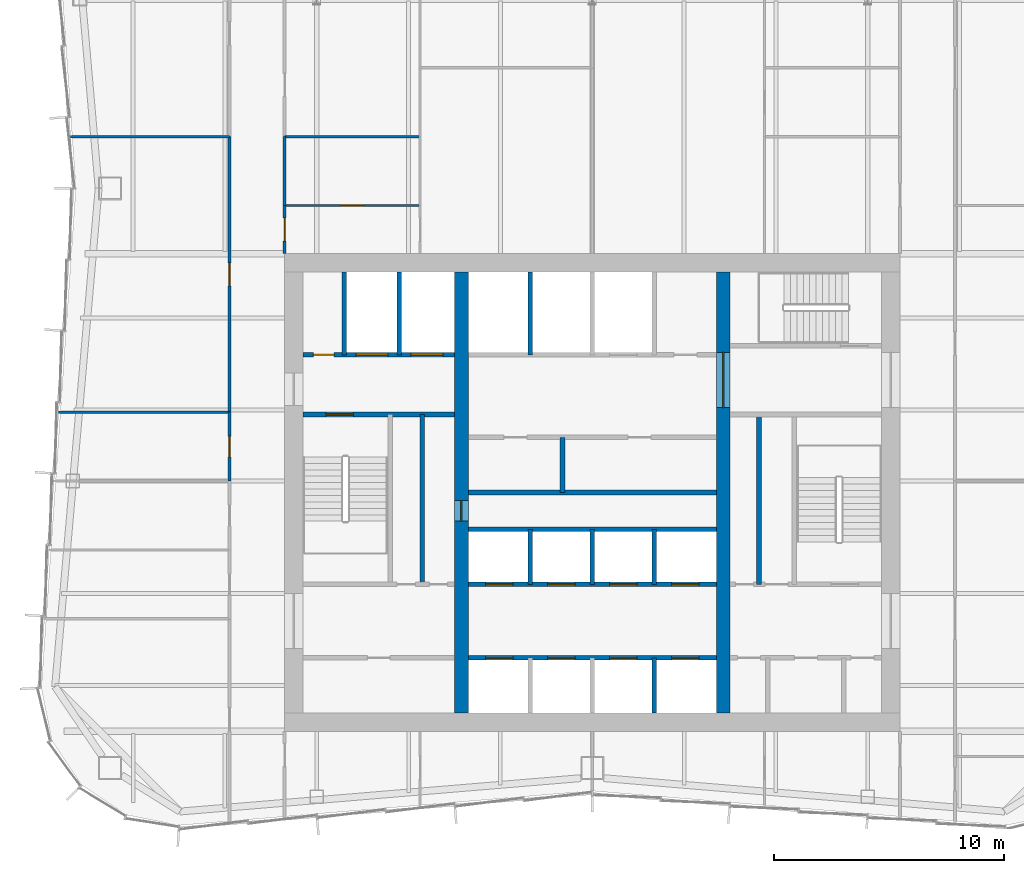
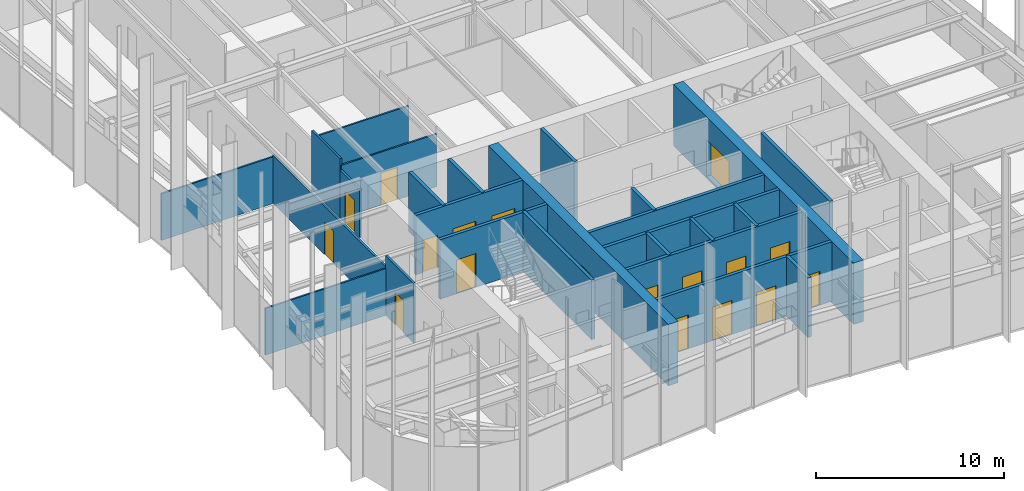
# One storey, part 11 of 15: 26 walls, 18 doors, 18 openings.
"""IFC4 building model written with IfcOpenShell, lengths in metres."""

from ifc_helpers import new_model, si_unit, direction, frame, frame_2d, origin, place, context, subcontext, project, spatial, rectangle, extrude, material, layer, layer_set, type_object, element, fill, save


model = new_model("IFC4")

# Units and contexts
model_context = context("Model", 3, precision=1e-05, world=origin(), true_north=direction((0.0, 1.0)))
body_context = subcontext(model_context, "Body", "Model", "MODEL_VIEW")
ifc_project = project(units=[si_unit("LENGTHUNIT", "METRE"), si_unit("AREAUNIT", "SQUARE_METRE"), si_unit("VOLUMEUNIT", "CUBIC_METRE"), si_unit("PLANEANGLEUNIT", "RADIAN"), si_unit("MASSUNIT", "GRAM", prefix="KILO")], contexts=[model_context])

# Site, building, storey
site_placement = place(None, origin())
site = spatial("IfcSite", under=ifc_project, at=site_placement, CompositionType="ELEMENT")
building_placement = place(site_placement, origin())
building = spatial("IfcBuilding", under=site, at=building_placement, Name="Verdant Reach Tower", CompositionType="ELEMENT")
storey_placement = place(building_placement, frame((0.0, 0.0, 250.0)))
storey = spatial("IfcBuildingStorey", under=building, at=storey_placement, Name="L57", CompositionType="ELEMENT", Elevation=250.0)

# Walls
ifc_material_1 = material(Name="Gypsum board on steel studs", Category="steel")
ifc_layer_1 = layer(ifc_material_1, 0.199951171875)
ifc_layer_set_1 = layer_set([ifc_layer_1], Name="CO-WALL-ROOM")
wall_type_1 = type_object("IfcWallType", Name="CO-WALL-ROOM", PredefinedType="PARTITIONING", material=ifc_layer_set_1)
wall_1_placement = place(storey_placement, frame((-5.39990234375, 28.0, 0.0), z_axis=(0.0, 0.0, 1.0), x_axis=(1.0, 0.0, 0.0)))
element("IfcWall", 1, at=wall_1_placement, inside=storey, type_object=wall_type_1, Name="Core partition, L57", PredefinedType="PARTITIONING", context=body_context, shape_type="SweptSolid", body=[
    extrude(rectangle(XDim=10.7998046875, YDim=0.199951171875, at=frame_2d((5.39990234375, 0.0))), origin(), (0.0, 0.0, 1.0), 3.8701171875),
])
wall_2_placement = place(storey_placement, frame((-7.39990234375, 24.0, 0.0), z_axis=(0.0, 0.0, 1.0), x_axis=(0.0, 1.0, 0.0)))
element("IfcWall", 2, at=wall_2_placement, inside=storey, type_object=wall_type_1, Name="Core partition, L57", PredefinedType="PARTITIONING", context=body_context, shape_type="SweptSolid", body=[
    extrude(rectangle(XDim=7.39990234375, YDim=0.199951171875, at=frame_2d((3.699951171875, 0.0))), origin(), (0.0, 0.0, 1.0), 3.8701171875),
])
wall_3_placement = place(storey_placement, frame((-1.2958984375, 28.0, 0.0), z_axis=(0.0, 0.0, 1.0), x_axis=(0.0, 1.0, 0.0)))
element("IfcWall", 3, at=wall_3_placement, inside=storey, type_object=wall_type_1, Name="Core partition, L57", PredefinedType="PARTITIONING", context=body_context, shape_type="SweptSolid", body=[
    extrude(rectangle(XDim=2.39990234375, YDim=0.199951171875, at=frame_2d((1.199951171875, 0.0))), origin(), (0.0, 0.0, 1.0), 3.8701171875),
])
wall_4_placement = place(storey_placement, frame((7.260009765625, 24.0, 0.0), z_axis=(0.0, 0.0, 1.0), x_axis=(0.0, 1.0, 0.0)))
element("IfcWall", 4, at=wall_4_placement, inside=storey, type_object=wall_type_1, Name="Core partition, L57", PredefinedType="PARTITIONING", context=body_context, shape_type="SweptSolid", body=[
    extrude(rectangle(XDim=7.39990234375, YDim=0.199951171875, at=frame_2d((3.699951171875, 0.0))), origin(), (0.0, 0.0, 1.0), 3.8701171875),
])

# Wall, openings, doors
ifc_material_2 = material(Name="Concrete C40/50", Category="concrete")
ifc_layer_2 = layer(ifc_material_2, 0.199951171875)
ifc_layer_set_2 = layer_set([ifc_layer_2], Name="CO-WALL-SHAFT")
wall_type_2 = type_object("IfcWallType", Name="CO-WALL-SHAFT", PredefinedType="PARTITIONING", material=ifc_layer_set_2)
wall_5_placement = place(storey_placement, frame((-5.39990234375, 20.800048828125, 0.0), z_axis=(0.0, 0.0, 1.0), x_axis=(1.0, 0.0, 0.0)))
wall_5 = element("IfcWall", 5, at=wall_5_placement, inside=storey, type_object=wall_type_2, Name="Lift shaft wall, L57", PredefinedType="PARTITIONING", context=body_context, shape_type="SweptSolid", body=[
    extrude(rectangle(XDim=10.7998046875, YDim=0.199951171875, at=frame_2d((5.39990234375, 0.0))), origin(), (0.0, 0.0, 1.0), 3.8701171875),
])
opening_1_placement = place(wall_5_placement, frame((0.75, 0.0, 0.0)))
opening_1 = element("IfcOpeningElement", 6, at=opening_1_placement, cuts=wall_5, Name="Opening LD-B1", PredefinedType="OPENING", context=body_context, shape_type="SweptSolid", body=[
    extrude(rectangle(XDim=1.199951171875, YDim=2.199951171875, at=frame_2d((0.60009765625, 1.10009765625))), frame((0.0, 0.10986328125, 0.0), z_axis=(0.0, -1.0, 0.0), x_axis=(1.0, 0.0, 0.0)), (0.0, 0.0, 1.0), 0.219970703125),
])
opening_2_placement = place(wall_5_placement, frame((3.449951171875, 0.0, 0.0)))
opening_2 = element("IfcOpeningElement", 7, at=opening_2_placement, cuts=wall_5, Name="Opening LD-B2", PredefinedType="OPENING", context=body_context, shape_type="SweptSolid", body=[
    extrude(rectangle(XDim=1.199951171875, YDim=2.199951171875, at=frame_2d((0.60009765625, 1.10009765625))), frame((0.0, 0.10986328125, 0.0), z_axis=(0.0, -1.0, 0.0), x_axis=(1.0, 0.0, 0.0)), (0.0, 0.0, 1.0), 0.219970703125),
])
opening_3_placement = place(wall_5_placement, frame((6.14990234375, 0.0, 0.0)))
opening_3 = element("IfcOpeningElement", 8, at=opening_3_placement, cuts=wall_5, Name="Opening LD-B3", PredefinedType="OPENING", context=body_context, shape_type="SweptSolid", body=[
    extrude(rectangle(XDim=1.199951171875, YDim=2.199951171875, at=frame_2d((0.60009765625, 1.10009765625))), frame((0.0, 0.10986328125, 0.0), z_axis=(0.0, -1.0, 0.0), x_axis=(1.0, 0.0, 0.0)), (0.0, 0.0, 1.0), 0.219970703125),
])
opening_4_placement = place(wall_5_placement, frame((8.85009765625, 0.0, 0.0)))
opening_4 = element("IfcOpeningElement", 9, at=opening_4_placement, cuts=wall_5, Name="Opening LD-B4", PredefinedType="OPENING", context=body_context, shape_type="SweptSolid", body=[
    extrude(rectangle(XDim=1.199951171875, YDim=2.199951171875, at=frame_2d((0.60009765625, 1.10009765625))), frame((0.0, 0.10986328125, 0.0), z_axis=(0.0, -1.0, 0.0), x_axis=(1.0, 0.0, 0.0)), (0.0, 0.0, 1.0), 0.219970703125),
])
ifc_material_3 = material(Name="Stainless steel", Category="steel")
door_type_1 = type_object("IfcDoorType", Name="CO-DOOR-LANDING", OperationType="SLIDING_TO_LEFT", PredefinedType="DOOR", material=ifc_material_3)
door_1_placement = place(opening_1_placement, origin())
door_1 = element("IfcDoor", 10, at=door_1_placement, inside=storey, type_object=door_type_1, Name="Landing door B1, L57", OperationType="SLIDING_TO_LEFT", OverallHeight=2.199951171875, OverallWidth=1.199951171875, PredefinedType="DOOR", context=body_context, shape_type="SweptSolid", body=[
    extrude(rectangle(XDim=1.199951171875, YDim=2.199951171875, at=frame_2d((0.60009765625, 1.10009765625))), frame((0.0, 0.02490234375, 0.0), z_axis=(0.0, -1.0, 0.0), x_axis=(1.0, 0.0, 0.0)), (0.0, 0.0, 1.0), 0.050048828125),
])
fill(opening_1, door_1)
door_2_placement = place(opening_2_placement, origin())
door_2 = element("IfcDoor", 11, at=door_2_placement, inside=storey, type_object=door_type_1, Name="Landing door B2, L57", OperationType="SLIDING_TO_LEFT", OverallHeight=2.199951171875, OverallWidth=1.199951171875, PredefinedType="DOOR", context=body_context, shape_type="SweptSolid", body=[
    extrude(rectangle(XDim=1.199951171875, YDim=2.199951171875, at=frame_2d((0.60009765625, 1.10009765625))), frame((0.0, 0.02490234375, 0.0), z_axis=(0.0, -1.0, 0.0), x_axis=(1.0, 0.0, 0.0)), (0.0, 0.0, 1.0), 0.050048828125),
])
fill(opening_2, door_2)
door_3_placement = place(opening_3_placement, origin())
door_3 = element("IfcDoor", 12, at=door_3_placement, inside=storey, type_object=door_type_1, Name="Landing door B3, L57", OperationType="SLIDING_TO_LEFT", OverallHeight=2.199951171875, OverallWidth=1.199951171875, PredefinedType="DOOR", context=body_context, shape_type="SweptSolid", body=[
    extrude(rectangle(XDim=1.199951171875, YDim=2.199951171875, at=frame_2d((0.60009765625, 1.10009765625))), frame((0.0, 0.02490234375, 0.0), z_axis=(0.0, -1.0, 0.0), x_axis=(1.0, 0.0, 0.0)), (0.0, 0.0, 1.0), 0.050048828125),
])
fill(opening_3, door_3)
door_4_placement = place(opening_4_placement, origin())
door_4 = element("IfcDoor", 13, at=door_4_placement, inside=storey, type_object=door_type_1, Name="Landing door B4, L57", OperationType="SLIDING_TO_LEFT", OverallHeight=2.199951171875, OverallWidth=1.199951171875, PredefinedType="DOOR", context=body_context, shape_type="SweptSolid", body=[
    extrude(rectangle(XDim=1.199951171875, YDim=2.199951171875, at=frame_2d((0.60009765625, 1.10009765625))), frame((0.0, 0.02490234375, 0.0), z_axis=(0.0, -1.0, 0.0), x_axis=(1.0, 0.0, 0.0)), (0.0, 0.0, 1.0), 0.050048828125),
])
fill(opening_4, door_4)

wall_6_placement = place(storey_placement, frame((-5.39990234375, 24.0, 0.0), z_axis=(0.0, 0.0, 1.0), x_axis=(1.0, 0.0, 0.0)))
wall_6 = element("IfcWall", 14, at=wall_6_placement, inside=storey, type_object=wall_type_2, Name="Lift shaft wall, L57", PredefinedType="PARTITIONING", context=body_context, shape_type="SweptSolid", body=[
    extrude(rectangle(XDim=10.7998046875, YDim=0.199951171875, at=frame_2d((5.39990234375, 0.0))), origin(), (0.0, 0.0, 1.0), 3.8701171875),
])
opening_5_placement = place(wall_6_placement, frame((0.75, 0.0, 0.0)))
opening_5 = element("IfcOpeningElement", 15, at=opening_5_placement, cuts=wall_6, Name="Opening LD-A5", PredefinedType="OPENING", context=body_context, shape_type="SweptSolid", body=[
    extrude(rectangle(XDim=1.199951171875, YDim=2.199951171875, at=frame_2d((0.60009765625, 1.10009765625))), frame((0.0, 0.10986328125, 0.0), z_axis=(0.0, -1.0, 0.0), x_axis=(1.0, 0.0, 0.0)), (0.0, 0.0, 1.0), 0.219970703125),
])
opening_6_placement = place(wall_6_placement, frame((3.449951171875, 0.0, 0.0)))
opening_6 = element("IfcOpeningElement", 16, at=opening_6_placement, cuts=wall_6, Name="Opening LD-A6", PredefinedType="OPENING", context=body_context, shape_type="SweptSolid", body=[
    extrude(rectangle(XDim=1.199951171875, YDim=2.199951171875, at=frame_2d((0.60009765625, 1.10009765625))), frame((0.0, 0.10986328125, 0.0), z_axis=(0.0, -1.0, 0.0), x_axis=(1.0, 0.0, 0.0)), (0.0, 0.0, 1.0), 0.219970703125),
])
opening_7_placement = place(wall_6_placement, frame((6.14990234375, 0.0, 0.0)))
opening_7 = element("IfcOpeningElement", 17, at=opening_7_placement, cuts=wall_6, Name="Opening LD-A7", PredefinedType="OPENING", context=body_context, shape_type="SweptSolid", body=[
    extrude(rectangle(XDim=1.199951171875, YDim=2.199951171875, at=frame_2d((0.60009765625, 1.10009765625))), frame((0.0, 0.10986328125, 0.0), z_axis=(0.0, -1.0, 0.0), x_axis=(1.0, 0.0, 0.0)), (0.0, 0.0, 1.0), 0.219970703125),
])
opening_8_placement = place(wall_6_placement, frame((8.85009765625, 0.0, 0.0)))
opening_8 = element("IfcOpeningElement", 18, at=opening_8_placement, cuts=wall_6, Name="Opening LD-A8", PredefinedType="OPENING", context=body_context, shape_type="SweptSolid", body=[
    extrude(rectangle(XDim=1.199951171875, YDim=2.199951171875, at=frame_2d((0.60009765625, 1.10009765625))), frame((0.0, 0.10986328125, 0.0), z_axis=(0.0, -1.0, 0.0), x_axis=(1.0, 0.0, 0.0)), (0.0, 0.0, 1.0), 0.219970703125),
])
door_5_placement = place(opening_5_placement, origin())
door_5 = element("IfcDoor", 19, at=door_5_placement, inside=storey, type_object=door_type_1, Name="Landing door A5, L57", OperationType="SLIDING_TO_LEFT", OverallHeight=2.199951171875, OverallWidth=1.199951171875, PredefinedType="DOOR", context=body_context, shape_type="SweptSolid", body=[
    extrude(rectangle(XDim=1.199951171875, YDim=2.199951171875, at=frame_2d((0.60009765625, 1.10009765625))), frame((0.0, 0.02490234375, 0.0), z_axis=(0.0, -1.0, 0.0), x_axis=(1.0, 0.0, 0.0)), (0.0, 0.0, 1.0), 0.050048828125),
])
fill(opening_5, door_5)
door_6_placement = place(opening_6_placement, origin())
door_6 = element("IfcDoor", 20, at=door_6_placement, inside=storey, type_object=door_type_1, Name="Landing door A6, L57", OperationType="SLIDING_TO_LEFT", OverallHeight=2.199951171875, OverallWidth=1.199951171875, PredefinedType="DOOR", context=body_context, shape_type="SweptSolid", body=[
    extrude(rectangle(XDim=1.199951171875, YDim=2.199951171875, at=frame_2d((0.60009765625, 1.10009765625))), frame((0.0, 0.02490234375, 0.0), z_axis=(0.0, -1.0, 0.0), x_axis=(1.0, 0.0, 0.0)), (0.0, 0.0, 1.0), 0.050048828125),
])
fill(opening_6, door_6)
door_7_placement = place(opening_7_placement, origin())
door_7 = element("IfcDoor", 21, at=door_7_placement, inside=storey, type_object=door_type_1, Name="Landing door A7, L57", OperationType="SLIDING_TO_LEFT", OverallHeight=2.199951171875, OverallWidth=1.199951171875, PredefinedType="DOOR", context=body_context, shape_type="SweptSolid", body=[
    extrude(rectangle(XDim=1.199951171875, YDim=2.199951171875, at=frame_2d((0.60009765625, 1.10009765625))), frame((0.0, 0.02490234375, 0.0), z_axis=(0.0, -1.0, 0.0), x_axis=(1.0, 0.0, 0.0)), (0.0, 0.0, 1.0), 0.050048828125),
])
fill(opening_7, door_7)
door_8_placement = place(opening_8_placement, origin())
door_8 = element("IfcDoor", 22, at=door_8_placement, inside=storey, type_object=door_type_1, Name="Landing door A8, L57", OperationType="SLIDING_TO_LEFT", OverallHeight=2.199951171875, OverallWidth=1.199951171875, PredefinedType="DOOR", context=body_context, shape_type="SweptSolid", body=[
    extrude(rectangle(XDim=1.199951171875, YDim=2.199951171875, at=frame_2d((0.60009765625, 1.10009765625))), frame((0.0, 0.02490234375, 0.0), z_axis=(0.0, -1.0, 0.0), x_axis=(1.0, 0.0, 0.0)), (0.0, 0.0, 1.0), 0.050048828125),
])
fill(opening_8, door_8)

# Wall
wall_7_placement = place(storey_placement, frame((-5.39990234375, 26.39990234375, 0.0), z_axis=(0.0, 0.0, 1.0), x_axis=(1.0, 0.0, 0.0)))
element("IfcWall", 23, at=wall_7_placement, inside=storey, type_object=wall_type_2, Name="Lift shaft wall, L57", PredefinedType="PARTITIONING", context=body_context, shape_type="SweptSolid", body=[
    extrude(rectangle(XDim=10.7998046875, YDim=0.199951171875, at=frame_2d((5.39990234375, 0.0))), origin(), (0.0, 0.0, 1.0), 3.8701171875),
])

# Wall, openings, doors
wall_8_placement = place(storey_placement, frame((-12.60009765625, 34.0, 0.0), z_axis=(0.0, 0.0, 1.0), x_axis=(1.0, 0.0, 0.0)))
wall_8 = element("IfcWall", 24, at=wall_8_placement, inside=storey, type_object=wall_type_2, Name="Lift shaft wall, L57", PredefinedType="PARTITIONING", context=body_context, shape_type="SweptSolid", body=[
    extrude(rectangle(XDim=6.60009765625, YDim=0.199951171875, at=frame_2d((3.300048828125, 0.0))), origin(), (0.0, 0.0, 1.0), 3.8701171875),
])
opening_9_placement = place(wall_8_placement, frame((4.699951171875, 0.0, 0.0)))
opening_9 = element("IfcOpeningElement", 25, at=opening_9_placement, cuts=wall_8, Name="Opening LD-F1", PredefinedType="OPENING", context=body_context, shape_type="SweptSolid", body=[
    extrude(rectangle(XDim=1.39990234375, YDim=2.199951171875, at=frame_2d((0.699951171875, 1.10009765625))), frame((0.0, 0.10986328125, 0.0), z_axis=(0.0, -1.0, 0.0), x_axis=(1.0, 0.0, 0.0)), (0.0, 0.0, 1.0), 0.219970703125),
])
opening_10_placement = place(wall_8_placement, frame((2.300048828125, 0.0, 0.0)))
opening_10 = element("IfcOpeningElement", 26, at=opening_10_placement, cuts=wall_8, Name="Opening LD-F2", PredefinedType="OPENING", context=body_context, shape_type="SweptSolid", body=[
    extrude(rectangle(XDim=1.39990234375, YDim=2.199951171875, at=frame_2d((0.699951171875, 1.10009765625))), frame((0.0, 0.10986328125, 0.0), z_axis=(0.0, -1.0, 0.0), x_axis=(1.0, 0.0, 0.0)), (0.0, 0.0, 1.0), 0.219970703125),
])
opening_11_placement = place(wall_8_placement, frame((0.449951171875, 0.0, 0.0)))
opening_11 = element("IfcOpeningElement", 27, at=opening_11_placement, cuts=wall_8, Name="Opening RD", PredefinedType="OPENING", context=body_context, shape_type="SweptSolid", body=[
    extrude(rectangle(XDim=0.89990234375, YDim=2.10009765625, at=frame_2d((0.449951171875, 1.050048828125))), frame((0.0, 0.10986328125, 0.0), z_axis=(0.0, -1.0, 0.0), x_axis=(1.0, 0.0, 0.0)), (0.0, 0.0, 1.0), 0.219970703125),
])
door_type_2 = type_object("IfcDoorType", Name="CO-DOOR-LANDING-FF", OperationType="SLIDING_TO_LEFT", PredefinedType="DOOR", material=ifc_material_3)
door_9_placement = place(opening_9_placement, origin())
door_9 = element("IfcDoor", 28, at=door_9_placement, inside=storey, type_object=door_type_2, Name="Landing door F1, L57", OperationType="SLIDING_TO_LEFT", OverallHeight=2.199951171875, OverallWidth=1.39990234375, PredefinedType="DOOR", context=body_context, shape_type="SweptSolid", body=[
    extrude(rectangle(XDim=1.39990234375, YDim=2.199951171875, at=frame_2d((0.699951171875, 1.10009765625))), frame((0.0, 0.02490234375, 0.0), z_axis=(0.0, -1.0, 0.0), x_axis=(1.0, 0.0, 0.0)), (0.0, 0.0, 1.0), 0.050048828125),
])
fill(opening_9, door_9)
door_10_placement = place(opening_10_placement, origin())
door_10 = element("IfcDoor", 29, at=door_10_placement, inside=storey, type_object=door_type_2, Name="Landing door F2, L57", OperationType="SLIDING_TO_LEFT", OverallHeight=2.199951171875, OverallWidth=1.39990234375, PredefinedType="DOOR", context=body_context, shape_type="SweptSolid", body=[
    extrude(rectangle(XDim=1.39990234375, YDim=2.199951171875, at=frame_2d((0.699951171875, 1.10009765625))), frame((0.0, 0.02490234375, 0.0), z_axis=(0.0, -1.0, 0.0), x_axis=(1.0, 0.0, 0.0)), (0.0, 0.0, 1.0), 0.050048828125),
])
fill(opening_10, door_10)
ifc_material_4 = material(Name="Steel", Category="steel")
door_type_3 = type_object("IfcDoorType", Name="CO-DOOR-RISER", OperationType="NOTDEFINED", PredefinedType="DOOR", material=ifc_material_4)
door_11_placement = place(opening_11_placement, origin())
door_11 = element("IfcDoor", 30, at=door_11_placement, inside=storey, type_object=door_type_3, Name="Core room door, L57", OperationType="SINGLE_SWING_RIGHT", OverallHeight=2.10009765625, OverallWidth=0.89990234375, PredefinedType="DOOR", context=body_context, shape_type="SweptSolid", body=[
    extrude(rectangle(XDim=0.89990234375, YDim=2.10009765625, at=frame_2d((0.449951171875, 1.050048828125))), frame((0.0, 0.02490234375, 0.0), z_axis=(0.0, -1.0, 0.0), x_axis=(1.0, 0.0, 0.0)), (0.0, 0.0, 1.0), 0.050048828125),
])
fill(opening_11, door_11)

# Walls
for number, where, z_axis, x_axis, name in (
    (31, (-10.800048828125, 34.0, 0.0), (0.0, 0.0, 1.0), (0.0, 1.0, 0.0), "Lift shaft wall, L57"),
    (32, (-8.39990234375, 34.0, 0.0), (0.0, 0.0, 1.0), (0.0, 1.0, 0.0), "Lift shaft wall, L57"),
):
    element("IfcWall", number, at=place(storey_placement, frame(where, z_axis=z_axis, x_axis=x_axis)), inside=storey, type_object=wall_type_2, Name=name, PredefinedType="PARTITIONING", context=body_context, shape_type="SweptSolid", body=[
        extrude(rectangle(XDim=3.60009765625, YDim=0.199951171875, at=frame_2d((1.800048828125, 0.0))), origin(), (0.0, 0.0, 1.0), 3.8701171875),
    ])
wall_9_placement = place(storey_placement, frame((-2.699951171875, 24.0, 0.0), z_axis=(0.0, 0.0, 1.0), x_axis=(0.0, 1.0, 0.0)))
element("IfcWall", 33, at=wall_9_placement, inside=storey, type_object=wall_type_2, Name="Lift shaft wall, L57", PredefinedType="PARTITIONING", context=body_context, shape_type="SweptSolid", body=[
    extrude(rectangle(XDim=2.39990234375, YDim=0.199951171875, at=frame_2d((1.199951171875, 0.0))), origin(), (0.0, 0.0, 1.0), 3.8701171875),
])
wall_10_placement = place(storey_placement, frame((-2.699951171875, 34.0, 0.0), z_axis=(0.0, 0.0, 1.0), x_axis=(0.0, 1.0, 0.0)))
element("IfcWall", 34, at=wall_10_placement, inside=storey, type_object=wall_type_2, Name="Lift shaft wall, L57", PredefinedType="PARTITIONING", context=body_context, shape_type="SweptSolid", body=[
    extrude(rectangle(XDim=3.60009765625, YDim=0.199951171875, at=frame_2d((1.800048828125, 0.0))), origin(), (0.0, 0.0, 1.0), 3.8701171875),
])
wall_11_placement = place(storey_placement, frame((0.0, 24.0, 0.0), z_axis=(0.0, 0.0, 1.0), x_axis=(0.0, 1.0, 0.0)))
element("IfcWall", 35, at=wall_11_placement, inside=storey, type_object=wall_type_2, Name="Lift shaft wall, L57", PredefinedType="PARTITIONING", context=body_context, shape_type="SweptSolid", body=[
    extrude(rectangle(XDim=2.39990234375, YDim=0.199951171875, at=frame_2d((1.199951171875, 0.0))), origin(), (0.0, 0.0, 1.0), 3.8701171875),
])
wall_12_placement = place(storey_placement, frame((2.699951171875, 18.39990234375, 0.0), z_axis=(0.0, 0.0, 1.0), x_axis=(0.0, 1.0, 0.0)))
element("IfcWall", 36, at=wall_12_placement, inside=storey, type_object=wall_type_2, Name="Lift shaft wall, L57", PredefinedType="PARTITIONING", context=body_context, shape_type="SweptSolid", body=[
    extrude(rectangle(XDim=2.400146484375, YDim=0.199951171875, at=frame_2d((1.2001953125, 0.0))), origin(), (0.0, 0.0, 1.0), 3.8701171875),
])
wall_13_placement = place(storey_placement, frame((2.699951171875, 24.0, 0.0), z_axis=(0.0, 0.0, 1.0), x_axis=(0.0, 1.0, 0.0)))
element("IfcWall", 37, at=wall_13_placement, inside=storey, type_object=wall_type_2, Name="Lift shaft wall, L57", PredefinedType="PARTITIONING", context=body_context, shape_type="SweptSolid", body=[
    extrude(rectangle(XDim=2.39990234375, YDim=0.199951171875, at=frame_2d((1.199951171875, 0.0))), origin(), (0.0, 0.0, 1.0), 3.8701171875),
])

# Wall, opening, door
ifc_layer_3 = layer(ifc_material_2, 0.199951171875)
ifc_layer_set_3 = layer_set([ifc_layer_3], Name="CO-WALL-STAIR")
wall_type_3 = type_object("IfcWallType", Name="CO-WALL-STAIR", PredefinedType="PARTITIONING", material=ifc_layer_set_3)
wall_14_placement = place(storey_placement, frame((-12.60009765625, 31.39990234375, 0.0), z_axis=(0.0, 0.0, 1.0), x_axis=(1.0, 0.0, 0.0)))
wall_14 = element("IfcWall", 38, at=wall_14_placement, inside=storey, type_object=wall_type_3, Name="Stair enclosure wall, L57", PredefinedType="PARTITIONING", context=body_context, shape_type="SweptSolid", body=[
    extrude(rectangle(XDim=6.60009765625, YDim=0.199951171875, at=frame_2d((3.300048828125, 0.0))), origin(), (0.0, 0.0, 1.0), 3.8701171875),
])
opening_12_placement = place(wall_14_placement, frame((1.0, 0.0, 0.0)))
opening_12 = element("IfcOpeningElement", 39, at=opening_12_placement, cuts=wall_14, Name="Opening SD", PredefinedType="OPENING", context=body_context, shape_type="SweptSolid", body=[
    extrude(rectangle(XDim=1.199951171875, YDim=2.199951171875, at=frame_2d((0.60009765625, 1.10009765625))), frame((0.0, 0.10986328125, 0.0), z_axis=(0.0, -1.0, 0.0), x_axis=(1.0, 0.0, 0.0)), (0.0, 0.0, 1.0), 0.219970703125),
])
door_type_4 = type_object("IfcDoorType", Name="CO-DOOR-STAIR", OperationType="NOTDEFINED", PredefinedType="DOOR", material=ifc_material_4)
door_12_placement = place(opening_12_placement, origin())
door_12 = element("IfcDoor", 40, at=door_12_placement, inside=storey, type_object=door_type_4, Name="Stair door, L57", OperationType="SINGLE_SWING_RIGHT", OverallHeight=2.199951171875, OverallWidth=1.199951171875, PredefinedType="DOOR", context=body_context, shape_type="SweptSolid", body=[
    extrude(rectangle(XDim=1.199951171875, YDim=2.199951171875, at=frame_2d((0.60009765625, 1.10009765625))), frame((0.0, 0.02490234375, 0.0), z_axis=(0.0, -1.0, 0.0), x_axis=(1.0, 0.0, 0.0)), (0.0, 0.0, 1.0), 0.050048828125),
])
fill(opening_12, door_12)

# Walls
ifc_layer_4 = layer(ifc_material_1, 0.10009765625)
ifc_layer_set_4 = layer_set([ifc_layer_4], Name="FL-W1 Partition 100")
wall_type_4 = type_object("IfcWallType", Name="FL-W1 Partition 100", PredefinedType="PARTITIONING", material=ifc_layer_set_4)
wall_15_placement = place(storey_placement, frame((-15.800048828125, 31.5, 0.0), z_axis=(0.0, 0.0, 1.0), x_axis=(-1.0, 0.0, 0.0)))
element("IfcWall", 41, at=wall_15_placement, inside=storey, type_object=wall_type_4, Name="Partition 57.37", PredefinedType="PARTITIONING", context=body_context, shape_type="SweptSolid", body=[
    extrude(rectangle(XDim=7.452392578125, YDim=0.10009765625, at=frame_2d((3.72607421875, 0.0))), origin(), (0.0, 0.0, 1.0), 3.0400390625),
])
wall_16_placement = place(storey_placement, frame((-15.800048828125, 43.5, 0.0), z_axis=(0.0, 0.0, 1.0), x_axis=(-1.0, 0.0, 0.0)))
element("IfcWall", 42, at=wall_16_placement, inside=storey, type_object=wall_type_4, Name="Partition 57.38", PredefinedType="PARTITIONING", context=body_context, shape_type="SweptSolid", body=[
    extrude(rectangle(XDim=6.93505859375, YDim=0.10009765625, at=frame_2d((3.467529296875, 0.0))), origin(), (0.0, 0.0, 1.0), 3.0400390625),
])

# Wall, opening, door
wall_17_placement = place(storey_placement, frame((-13.39990234375, 40.5, 0.0), z_axis=(0.0, 0.0, 1.0), x_axis=(1.0, 0.0, 0.0)))
wall_17 = element("IfcWall", 43, at=wall_17_placement, inside=storey, type_object=wall_type_4, Name="Partition 57.48", PredefinedType="PARTITIONING", context=body_context, shape_type="SweptSolid", body=[
    extrude(rectangle(XDim=5.89990234375, YDim=0.10009765625, at=frame_2d((2.949951171875, 0.0))), origin(), (0.0, 0.0, 1.0), 3.43994140625),
])
opening_13_placement = place(wall_17_placement, frame((2.449951171875, 0.0, 0.0)))
opening_13 = element("IfcOpeningElement", 44, at=opening_13_placement, cuts=wall_17, Name="Opening D3", PredefinedType="OPENING", context=body_context, shape_type="SweptSolid", body=[
    extrude(rectangle(XDim=1.0, YDim=2.10009765625, at=frame_2d((0.5, 1.050048828125))), frame((0.0, 0.06005859375, 0.0), z_axis=(0.0, -1.0, 0.0), x_axis=(1.0, 0.0, 0.0)), (0.0, 0.0, 1.0), 0.1201171875),
])
ifc_material_5 = material(Name="Painted timber door leaf", Category="wood")
door_type_5 = type_object("IfcDoorType", Name="FL-D3 Door 1000x2100", OperationType="NOTDEFINED", PredefinedType="DOOR", material=ifc_material_5)
door_13_placement = place(opening_13_placement, origin())
door_13 = element("IfcDoor", 45, at=door_13_placement, inside=storey, type_object=door_type_5, Name="Door 57-029", OperationType="SINGLE_SWING_LEFT", OverallHeight=2.10009765625, OverallWidth=1.0, PredefinedType="DOOR", context=body_context, shape_type="SweptSolid", body=[
    extrude(rectangle(XDim=1.0, YDim=2.10009765625, at=frame_2d((0.5, 1.050048828125))), frame((0.0, 0.02490234375, 0.0), z_axis=(0.0, -1.0, 0.0), x_axis=(1.0, 0.0, 0.0)), (0.0, 0.0, 1.0), 0.050048828125),
])
fill(opening_13, door_13)

# Wall
wall_18_placement = place(storey_placement, frame((-7.5, 43.5, 0.0), z_axis=(0.0, 0.0, 1.0), x_axis=(-1.0, 0.0, 0.0)))
element("IfcWall", 46, at=wall_18_placement, inside=storey, type_object=wall_type_4, Name="Partition 57.50", PredefinedType="PARTITIONING", context=body_context, shape_type="SweptSolid", body=[
    extrude(rectangle(XDim=5.89990234375, YDim=0.10009765625, at=frame_2d((2.949951171875, 0.0))), origin(), (0.0, 0.0, 1.0), 3.43994140625),
])

# Wall, opening, door
ifc_material_6 = material(Name="Gypsum board on steel studs, fire rated", Category="steel")
ifc_layer_5 = layer(ifc_material_6, 0.125)
ifc_layer_set_5 = layer_set([ifc_layer_5], Name="FL-W2 Corridor wall 125")
wall_type_5 = type_object("IfcWallType", Name="FL-W2 Corridor wall 125", PredefinedType="PARTITIONING", material=ifc_layer_set_5)
wall_19_placement = place(storey_placement, frame((-15.800048828125, 28.5, 0.0), z_axis=(0.0, 0.0, 1.0), x_axis=(0.0, 1.0, 0.0)))
wall_19 = element("IfcWall", 47, at=wall_19_placement, inside=storey, type_object=wall_type_5, Name="Partition 57.04", PredefinedType="PARTITIONING", context=body_context, shape_type="SweptSolid", body=[
    extrude(rectangle(XDim=3.0, YDim=0.125, at=frame_2d((1.5, 0.0))), origin(), (0.0, 0.0, 1.0), 3.8701171875),
])
opening_14_placement = place(wall_19_placement, frame((1.050048828125, 0.0, 0.0)))
opening_14 = element("IfcOpeningElement", 48, at=opening_14_placement, cuts=wall_19, Name="Opening D1", PredefinedType="OPENING", context=body_context, shape_type="SweptSolid", body=[
    extrude(rectangle(XDim=0.89990234375, YDim=2.10009765625, at=frame_2d((0.449951171875, 1.050048828125))), frame((0.0, 0.072509765625, 0.0), z_axis=(0.0, -1.0, 0.0), x_axis=(1.0, 0.0, 0.0)), (0.0, 0.0, 1.0), 0.14501953125),
])
door_type_6 = type_object("IfcDoorType", Name="FL-D1 Door 900x2100", OperationType="NOTDEFINED", PredefinedType="DOOR", material=ifc_material_5)
door_14_placement = place(opening_14_placement, origin())
door_14 = element("IfcDoor", 49, at=door_14_placement, inside=storey, type_object=door_type_6, Name="Door 57-004", OperationType="SINGLE_SWING_RIGHT", OverallHeight=2.10009765625, OverallWidth=0.89990234375, PredefinedType="DOOR", context=body_context, shape_type="SweptSolid", body=[
    extrude(rectangle(XDim=0.89990234375, YDim=2.10009765625, at=frame_2d((0.449951171875, 1.050048828125))), frame((0.0, 0.02490234375, 0.0), z_axis=(0.0, -1.0, 0.0), x_axis=(1.0, 0.0, 0.0)), (0.0, 0.0, 1.0), 0.050048828125),
])
fill(opening_14, door_14)

wall_20_placement = place(storey_placement, frame((-15.800048828125, 31.5, 0.0), z_axis=(0.0, 0.0, 1.0), x_axis=(0.0, 1.0, 0.0)))
wall_20 = element("IfcWall", 50, at=wall_20_placement, inside=storey, type_object=wall_type_5, Name="Partition 57.05", PredefinedType="PARTITIONING", context=body_context, shape_type="SweptSolid", body=[
    extrude(rectangle(XDim=12.0, YDim=0.125, at=frame_2d((6.0, 0.0))), origin(), (0.0, 0.0, 1.0), 3.139892578125),
])
opening_15_placement = place(wall_20_placement, frame((5.5, 0.0, 0.0)))
opening_15 = element("IfcOpeningElement", 51, at=opening_15_placement, cuts=wall_20, Name="Opening D2", PredefinedType="OPENING", context=body_context, shape_type="SweptSolid", body=[
    extrude(rectangle(XDim=1.0, YDim=2.10009765625, at=frame_2d((0.5, 1.050048828125))), frame((0.0, 0.072509765625, 0.0), z_axis=(0.0, -1.0, 0.0), x_axis=(1.0, 0.0, 0.0)), (0.0, 0.0, 1.0), 0.14501953125),
])
ifc_material_7 = material(Name="Timber door leaf, fire rated", Category="wood")
door_type_7 = type_object("IfcDoorType", Name="FL-D2 Entrance door 1000x2100 FD30", OperationType="NOTDEFINED", PredefinedType="DOOR", material=ifc_material_7)
door_15_placement = place(opening_15_placement, origin())
door_15 = element("IfcDoor", 52, at=door_15_placement, inside=storey, type_object=door_type_7, Name="Door 57-005", OperationType="SINGLE_SWING_LEFT", OverallHeight=2.10009765625, OverallWidth=1.0, PredefinedType="DOOR", context=body_context, shape_type="SweptSolid", body=[
    extrude(rectangle(XDim=1.0, YDim=2.10009765625, at=frame_2d((0.5, 1.050048828125))), frame((0.0, 0.02490234375, 0.0), z_axis=(0.0, -1.0, 0.0), x_axis=(1.0, 0.0, 0.0)), (0.0, 0.0, 1.0), 0.050048828125),
])
fill(opening_15, door_15)

wall_21_placement = place(storey_placement, frame((-13.39990234375, 40.5, 0.0), z_axis=(0.0, 0.0, 1.0), x_axis=(0.0, -1.0, 0.0)))
wall_21 = element("IfcWall", 53, at=wall_21_placement, inside=storey, type_object=wall_type_5, Name="Partition 57.16", PredefinedType="PARTITIONING", context=body_context, shape_type="SweptSolid", body=[
    extrude(rectangle(XDim=2.10009765625, YDim=0.125, at=frame_2d((1.050048828125, 0.0))), origin(), (0.0, 0.0, 1.0), 3.139892578125),
])
opening_16_placement = place(wall_21_placement, frame((0.550048828125, 0.0, 0.0)))
opening_16 = element("IfcOpeningElement", 54, at=opening_16_placement, cuts=wall_21, Name="Opening D2", PredefinedType="OPENING", context=body_context, shape_type="SweptSolid", body=[
    extrude(rectangle(XDim=1.0, YDim=2.10009765625, at=frame_2d((0.5, 1.050048828125))), frame((0.0, 0.072509765625, 0.0), z_axis=(0.0, -1.0, 0.0), x_axis=(1.0, 0.0, 0.0)), (0.0, 0.0, 1.0), 0.14501953125),
])
door_16_placement = place(opening_16_placement, origin())
door_16 = element("IfcDoor", 55, at=door_16_placement, inside=storey, type_object=door_type_7, Name="Door 57-016", OperationType="SINGLE_SWING_RIGHT", OverallHeight=2.10009765625, OverallWidth=1.0, PredefinedType="DOOR", context=body_context, shape_type="SweptSolid", body=[
    extrude(rectangle(XDim=1.0, YDim=2.10009765625, at=frame_2d((0.5, 1.050048828125))), frame((0.0, 0.02490234375, 0.0), z_axis=(0.0, -1.0, 0.0), x_axis=(1.0, 0.0, 0.0)), (0.0, 0.0, 1.0), 0.050048828125),
])
fill(opening_16, door_16)

# Wall
wall_22_placement = place(storey_placement, frame((-13.39990234375, 40.5, 0.0), z_axis=(0.0, 0.0, 1.0), x_axis=(0.0, 1.0, 0.0)))
element("IfcWall", 56, at=wall_22_placement, inside=storey, type_object=wall_type_5, Name="Partition 57.17", PredefinedType="PARTITIONING", context=body_context, shape_type="SweptSolid", body=[
    extrude(rectangle(XDim=3.0, YDim=0.125, at=frame_2d((1.5, 0.0))), origin(), (0.0, 0.0, 1.0), 3.8701171875),
])

# Wall, opening, door
ifc_material_8 = material(Name="Concrete C70/85", Category="concrete")
ifc_layer_6 = layer(ifc_material_8, 0.60009765625)
ifc_layer_set_6 = layer_set([ifc_layer_6], Name="ST-CORE-WALL-600")
wall_type_6 = type_object("IfcWallType", Name="ST-CORE-WALL-600", PredefinedType="SHEAR", material=ifc_layer_set_6)
wall_23_placement = place(storey_placement, frame((-5.699951171875, 18.39990234375, -0.1298828125), z_axis=(0.0, 0.0, 1.0), x_axis=(0.0, 1.0, 0.0)))
wall_23 = element("IfcWall", 57, at=wall_23_placement, inside=storey, type_object=wall_type_6, Name="Core wall XW, L57", PredefinedType="SHEAR", context=body_context, shape_type="SweptSolid", body=[
    extrude(rectangle(XDim=19.2001953125, YDim=0.60009765625, at=frame_2d((9.60009765625, 0.0))), origin(), (0.0, 0.0, 1.0), 4.0),
])
opening_17_placement = place(wall_23_placement, frame((8.35009765625, 0.0, 0.1298828125)))
opening_17 = element("IfcOpeningElement", 58, at=opening_17_placement, cuts=wall_23, Name="Opening RD", PredefinedType="OPENING", context=body_context, shape_type="SweptSolid", body=[
    extrude(rectangle(XDim=0.89990234375, YDim=2.10009765625, at=frame_2d((0.449951171875, 1.050048828125))), frame((0.0, 0.31005859375, 0.0), z_axis=(0.0, -1.0, 0.0), x_axis=(1.0, 0.0, 0.0)), (0.0, 0.0, 1.0), 0.6201171875),
])
door_17_placement = place(opening_17_placement, origin())
door_17 = element("IfcDoor", 59, at=door_17_placement, inside=storey, type_object=door_type_3, Name="Riser door, L57", OperationType="SINGLE_SWING_RIGHT", OverallHeight=2.10009765625, OverallWidth=0.89990234375, PredefinedType="DOOR", context=body_context, shape_type="SweptSolid", body=[
    extrude(rectangle(XDim=0.89990234375, YDim=2.10009765625, at=frame_2d((0.449951171875, 1.050048828125))), frame((0.0, 0.02490234375, 0.0), z_axis=(0.0, -1.0, 0.0), x_axis=(1.0, 0.0, 0.0)), (0.0, 0.0, 1.0), 0.050048828125),
])
fill(opening_17, door_17)

wall_24_placement = place(storey_placement, frame((5.699951171875, 18.39990234375, -0.1298828125), z_axis=(0.0, 0.0, 1.0), x_axis=(0.0, 1.0, 0.0)))
wall_24 = element("IfcWall", 60, at=wall_24_placement, inside=storey, type_object=wall_type_6, Name="Core wall XE, L57", PredefinedType="SHEAR", context=body_context, shape_type="SweptSolid", body=[
    extrude(rectangle(XDim=19.2001953125, YDim=0.60009765625, at=frame_2d((9.60009765625, 0.0))), origin(), (0.0, 0.0, 1.0), 4.0),
])
opening_18_placement = place(wall_24_placement, frame((13.300048828125, 0.0, 0.1298828125)))
opening_18 = element("IfcOpeningElement", 61, at=opening_18_placement, cuts=wall_24, Name="Opening LB", PredefinedType="OPENING", context=body_context, shape_type="SweptSolid", body=[
    extrude(rectangle(XDim=2.39990234375, YDim=2.39990234375, at=frame_2d((1.199951171875, 1.199951171875))), frame((0.0, 0.31005859375, 0.0), z_axis=(0.0, -1.0, 0.0), x_axis=(1.0, 0.0, 0.0)), (0.0, 0.0, 1.0), 0.6201171875),
])
ifc_material_9 = material(Name="Glass and steel", Category="steel")
door_type_8 = type_object("IfcDoorType", Name="CO-DOOR-LOBBY", OperationType="DOUBLE_DOOR_SINGLE_SWING", PredefinedType="DOOR", material=ifc_material_9)
door_18_placement = place(opening_18_placement, origin())
door_18 = element("IfcDoor", 62, at=door_18_placement, inside=storey, type_object=door_type_8, Name="Core entrance door, L57", OperationType="DOUBLE_DOOR_SINGLE_SWING", OverallHeight=2.39990234375, OverallWidth=2.39990234375, PredefinedType="DOOR", context=body_context, shape_type="SweptSolid", body=[
    extrude(rectangle(XDim=2.39990234375, YDim=2.39990234375, at=frame_2d((1.199951171875, 1.199951171875))), frame((0.0, 0.02490234375, 0.0), z_axis=(0.0, -1.0, 0.0), x_axis=(1.0, 0.0, 0.0)), (0.0, 0.0, 1.0), 0.050048828125),
])
fill(opening_18, door_18)

save(model, "model.ifc")
